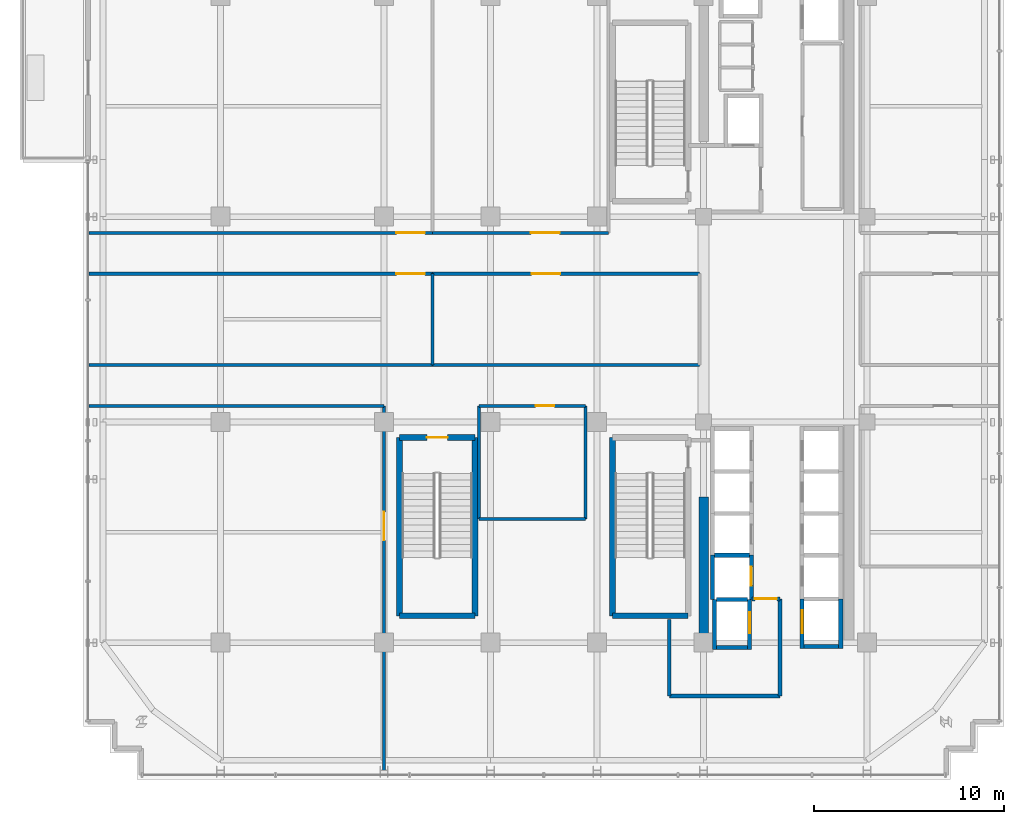
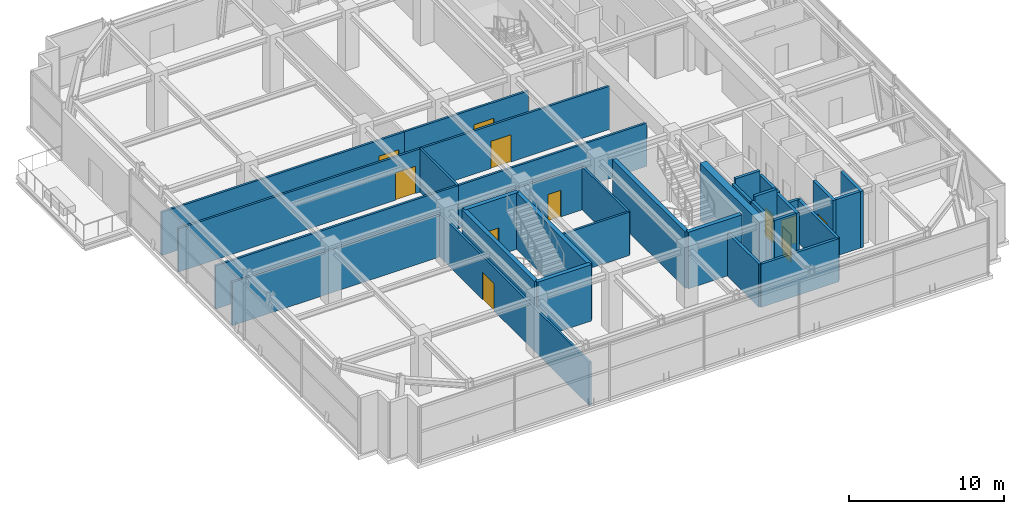
# One storey, part 21 of 28: 34 walls, 11 doors, 11 openings.
"""IFC4 building model written with IfcOpenShell, lengths in metres."""

from ifc_helpers import new_model, si_unit, direction, frame, frame_2d, origin, place, context, subcontext, project, spatial, rectangle, extrude, source, transform, mapped, material, layer, layer_set, type_object, element, fill, save


model = new_model("IFC4")

# Units and contexts
model_context = context("Model", 3, precision=1e-05, world=origin(), true_north=direction((0.0, 1.0)))
body_context = subcontext(model_context, "Body", "Model", "MODEL_VIEW")
ifc_project = project(units=[si_unit("LENGTHUNIT", "METRE"), si_unit("AREAUNIT", "SQUARE_METRE"), si_unit("VOLUMEUNIT", "CUBIC_METRE"), si_unit("PLANEANGLEUNIT", "RADIAN"), si_unit("MASSUNIT", "GRAM", prefix="KILO")], contexts=[model_context])

# Site, building, storey
site_placement = place(None, origin())
site = spatial("IfcSite", under=ifc_project, at=site_placement, CompositionType="ELEMENT")
building_placement = place(site_placement, origin())
building = spatial("IfcBuilding", under=site, at=building_placement, Name="Nahalor Promenade Grand Hotel", CompositionType="ELEMENT")
storey_placement = place(building_placement, frame((0.0, 0.0, 256.699951171875)))
storey = spatial("IfcBuildingStorey", under=building, at=storey_placement, Name="L66", CompositionType="ELEMENT", Elevation=256.699951171875)

# Walls
ifc_material_1 = material(Name="Concrete B-60 (C50/60)", Category="concrete")
ifc_layer_1 = layer(ifc_material_1, 0.5)
ifc_layer_set_1 = layer_set([ifc_layer_1], Name="Concrete B-60 (C50/60)")
wall_type_1 = type_object("IfcWallType", Name="Wall-CoreShear-500", PredefinedType="SHEAR", material=ifc_layer_set_1)
shared_shape_1 = source(origin(), body_context, "Body", "SweptSolid", [
    extrude(rectangle(XDim=7.64990234375, YDim=0.5, at=frame_2d((3.824951171875, 0.0))), origin(), (0.0, 0.0, 1.0), 4.43994140625),
])
wall_1_placement = place(storey_placement, frame((8.39990234375, -17.0, 0.0), z_axis=(0.0, 0.0, 1.0), x_axis=(0.0, 1.0, 0.0)))
element("IfcWall", 1, at=wall_1_placement, inside=storey, type_object=wall_type_1, Name="CWALL-L66-SW", PredefinedType="SHEAR", context=body_context, shape_type="MappedRepresentation", body=[
    mapped(shared_shape_1, transform((0.0, 0.0, 0.0), scale=1.0)),
])
ifc_material_2 = material(Name="Concrete B-50 (C40/50)", Category="concrete")
ifc_layer_2 = layer(ifc_material_2, 0.300048828125)
ifc_layer_set_2 = layer_set([ifc_layer_2], Name="Concrete B-50 (C40/50)")
wall_type_2 = type_object("IfcWallType", Name="Wall-ShaftShear-300", PredefinedType="SHEAR", material=ifc_layer_set_2)
shared_shape_2 = source(origin(), body_context, "Body", "SweptSolid", [
    extrude(rectangle(XDim=3.97998046875, YDim=0.300048828125, at=frame_2d((1.989990234375, 0.0))), origin(), (0.0, 0.0, 1.0), 4.43994140625),
])
for number, where, z_axis, x_axis, name in (
    (2, (3.610107421875, -15.590087890625, 0.0), (0.0, 0.0, 1.0), (1.0, 0.0, 0.0), "L66 Exit Stair ST2 Shaft Wall S"),
    (3, (-7.590087890625, -15.590087890625, 0.0), (0.0, 0.0, 1.0), (1.0, 0.0, 0.0), "L66 Exit Stair ST3 Shaft Wall S"),
):
    element("IfcWall", number, at=place(storey_placement, frame(where, z_axis=z_axis, x_axis=x_axis)), inside=storey, type_object=wall_type_2, Name=name, PredefinedType="SHEAR", context=body_context, shape_type="MappedRepresentation", body=[
        mapped(shared_shape_2, transform((0.0, 0.0, 0.0), scale=1.0)),
    ])

# Wall, opening, door
wall_2_placement = place(storey_placement, frame((-7.590087890625, -6.2099609375, 0.0), z_axis=(0.0, 0.0, 1.0), x_axis=(1.0, 0.0, 0.0)))
wall_2 = element("IfcWall", 4, at=wall_2_placement, inside=storey, type_object=wall_type_2, Name="L66 Exit Stair ST3 Shaft Wall N", PredefinedType="SHEAR", context=body_context, shape_type="MappedRepresentation", body=[
    mapped(shared_shape_2, transform((0.0, 0.0, 0.0), scale=1.0)),
])
opening_1_placement = place(wall_2_placement, frame((1.43994140625, 0.0, 0.0)))
opening_1 = element("IfcOpeningElement", 5, at=opening_1_placement, cuts=wall_2, Name="Opening D-ST1", PredefinedType="OPENING", context=body_context, shape_type="SweptSolid", body=[
    extrude(rectangle(XDim=1.10009765625, YDim=2.14990234375, at=frame_2d((0.550048828125, 1.074951171875))), frame((0.0, 0.159912109375, 0.0), z_axis=(0.0, -1.0, 0.0), x_axis=(1.0, 0.0, 0.0)), (0.0, 0.0, 1.0), 0.320068359375),
])
ifc_material_3 = material(Name="Steel S355JR", Category="steel")
door_type_1 = type_object("IfcDoorType", Name="Door-StairFire-1100", OperationType="NOTDEFINED", PredefinedType="DOOR", material=ifc_material_3)
shared_shape_3 = source(origin(), body_context, "Body", "SweptSolid", [
    extrude(rectangle(XDim=1.10009765625, YDim=2.14990234375, at=frame_2d((0.550048828125, 1.074951171875))), frame((0.0, 0.02490234375, 0.0), z_axis=(0.0, -1.0, 0.0), x_axis=(1.0, 0.0, 0.0)), (0.0, 0.0, 1.0), 0.050048828125),
])
door_1_placement = place(opening_1_placement, frame((1.10009765625, 0.0, 0.0), z_axis=(0.0, 0.0, 1.0), x_axis=(-1.0, 0.0, 0.0)))
door_1 = element("IfcDoor", 6, at=door_1_placement, inside=storey, type_object=door_type_1, Name="DR-STAIR-ST3-L66", OperationType="SINGLE_SWING_LEFT", OverallHeight=2.14990234375, OverallWidth=1.10009765625, PredefinedType="DOOR", context=body_context, shape_type="MappedRepresentation", body=[
    mapped(shared_shape_3, transform((0.0, 0.0, 0.0), scale=1.0)),
])
fill(opening_1, door_1)

# Walls
shared_shape_4 = source(origin(), body_context, "Body", "SweptSolid", [
    extrude(rectangle(XDim=9.380126953125, YDim=0.300048828125, at=frame_2d((4.68994140625, 0.0))), origin(), (0.0, 0.0, 1.0), 4.43994140625),
])
for number, where, z_axis, x_axis, name in (
    (7, (3.610107421875, -15.590087890625, 0.0), (0.0, 0.0, 1.0), (0.0, 1.0, 0.0), "L66 Exit Stair ST2 Shaft Wall W"),
    (8, (-7.590087890625, -15.590087890625, 0.0), (0.0, 0.0, 1.0), (0.0, 1.0, 0.0), "L66 Exit Stair ST3 Shaft Wall W"),
    (9, (-3.610107421875, -15.590087890625, 0.0), (0.0, 0.0, 1.0), (0.0, 1.0, 0.0), "L66 Exit Stair ST3 Shaft Wall E"),
):
    element("IfcWall", number, at=place(storey_placement, frame(where, z_axis=z_axis, x_axis=x_axis)), inside=storey, type_object=wall_type_2, Name=name, PredefinedType="SHEAR", context=body_context, shape_type="MappedRepresentation", body=[
        mapped(shared_shape_4, transform((0.0, 0.0, 0.0), scale=1.0)),
    ])
ifc_layer_3 = layer(ifc_material_2, 0.219970703125)
ifc_layer_set_3 = layer_set([ifc_layer_3], Name="Concrete B-50 (C40/50)")
wall_type_3 = type_object("IfcWallType", Name="Wall-LiftShaft-220", PredefinedType="SHEAR", material=ifc_layer_set_3)
shared_shape_5 = source(origin(), body_context, "Body", "SweptSolid", [
    extrude(rectangle(XDim=1.820068359375, YDim=0.219970703125, at=frame_2d((0.91015625, 0.0))), origin(), (0.0, 0.0, 1.0), 4.800048828125),
])
wall_3_placement = place(storey_placement, frame((8.989990234375, -12.39990234375, 0.0), z_axis=(0.0, 0.0, 1.0), x_axis=(1.0, 0.0, 0.0)))
element("IfcWall", 10, at=wall_3_placement, inside=storey, type_object=wall_type_3, Name="L66 Lift PL12 Hoistway Wall N", PredefinedType="SHEAR", context=body_context, shape_type="MappedRepresentation", body=[
    mapped(shared_shape_5, transform((0.0, 0.0, 0.0), scale=1.0)),
])
shared_shape_6 = source(origin(), body_context, "Body", "SweptSolid", [
    extrude(rectangle(XDim=1.820068359375, YDim=0.219970703125, at=frame_2d((0.91015625, 0.0))), origin(), (0.0, 0.0, 1.0), 4.43994140625),
])
wall_4_placement = place(storey_placement, frame((13.68994140625, -17.199951171875, 0.0), z_axis=(0.0, 0.0, 1.0), x_axis=(1.0, 0.0, 0.0)))
element("IfcWall", 11, at=wall_4_placement, inside=storey, type_object=wall_type_3, Name="L66 Lift SV2 Hoistway Wall S", PredefinedType="SHEAR", context=body_context, shape_type="MappedRepresentation", body=[
    mapped(shared_shape_6, transform((0.0, 0.0, 0.0), scale=1.0)),
])
shared_shape_7 = source(origin(), body_context, "Body", "SweptSolid", [
    extrude(rectangle(XDim=2.3251953125, YDim=0.219970703125, at=frame_2d((1.16259765625, 0.0))), origin(), (0.0, 0.0, 1.0), 4.43994140625),
])
wall_5_placement = place(storey_placement, frame((8.8798828125, -14.72509765625, 0.0), z_axis=(0.0, 0.0, 1.0), x_axis=(0.0, 1.0, 0.0)))
element("IfcWall", 12, at=wall_5_placement, inside=storey, type_object=wall_type_3, Name="L66 Lift PL12 Hoistway Wall W", PredefinedType="SHEAR", context=body_context, shape_type="MappedRepresentation", body=[
    mapped(shared_shape_7, transform((0.0, 0.0, 0.0), scale=1.0)),
])

# Wall, opening, door
wall_6_placement = place(storey_placement, frame((10.919921875, -14.72509765625, 0.0), z_axis=(0.0, 0.0, 1.0), x_axis=(0.0, 1.0, 0.0)))
wall_6 = element("IfcWall", 13, at=wall_6_placement, inside=storey, type_object=wall_type_3, Name="L66 Lift PL12 Hoistway Wall E", PredefinedType="SHEAR", context=body_context, shape_type="MappedRepresentation", body=[
    mapped(shared_shape_7, transform((0.0, 0.0, 0.0), scale=1.0)),
])
opening_2_placement = place(wall_6_placement, frame((0.72509765625, 0.0, 0.0)))
opening_2 = element("IfcOpeningElement", 14, at=opening_2_placement, cuts=wall_6, Name="Opening LD-01", PredefinedType="OPENING", context=body_context, shape_type="SweptSolid", body=[
    extrude(rectangle(XDim=1.0, YDim=2.199951171875, at=frame_2d((0.5, 1.10009765625))), frame((0.0, 0.119873046875, 0.0), z_axis=(0.0, -1.0, 0.0), x_axis=(1.0, 0.0, 0.0)), (0.0, 0.0, 1.0), 0.239990234375),
])
door_type_2 = type_object("IfcDoorType", Name="Door-LiftLanding-1000", OperationType="DOUBLE_DOOR_SLIDING", PredefinedType="DOOR", material=ifc_material_3)
shared_shape_8 = source(origin(), body_context, "Body", "SweptSolid", [
    extrude(rectangle(XDim=1.0, YDim=2.199951171875, at=frame_2d((0.5, 1.10009765625))), frame((0.0, 0.02490234375, 0.0), z_axis=(0.0, -1.0, 0.0), x_axis=(1.0, 0.0, 0.0)), (0.0, 0.0, 1.0), 0.050048828125),
])
door_2_placement = place(opening_2_placement, frame((1.0, 0.0, 0.0), z_axis=(0.0, 0.0, 1.0), x_axis=(-1.0, 0.0, 0.0)))
door_2 = element("IfcDoor", 15, at=door_2_placement, inside=storey, type_object=door_type_2, Name="DR-LIFT-PL12-L66", OperationType="DOUBLE_DOOR_SLIDING", OverallHeight=2.199951171875, OverallWidth=1.0, PredefinedType="DOOR", context=body_context, shape_type="MappedRepresentation", body=[
    mapped(shared_shape_8, transform((0.0, 0.0, 0.0), scale=1.0)),
])
fill(opening_2, door_2)

# Walls
shared_shape_9 = source(origin(), body_context, "Body", "SweptSolid", [
    extrude(rectangle(XDim=1.619873046875, YDim=0.219970703125, at=frame_2d((0.81005859375, 0.0))), origin(), (0.0, 0.0, 1.0), 4.800048828125),
])
wall_7_placement = place(storey_placement, frame((9.090087890625, -14.72509765625, 0.0), z_axis=(0.0, 0.0, 1.0), x_axis=(1.0, 0.0, 0.0)))
element("IfcWall", 16, at=wall_7_placement, inside=storey, type_object=wall_type_3, Name="L66 Lift FL2 Hoistway Wall N", PredefinedType="SHEAR", context=body_context, shape_type="MappedRepresentation", body=[
    mapped(shared_shape_9, transform((0.0, 0.0, 0.0), scale=1.0)),
])
shared_shape_10 = source(origin(), body_context, "Body", "SweptSolid", [
    extrude(rectangle(XDim=2.635009765625, YDim=0.219970703125, at=frame_2d((1.3173828125, 0.0))), origin(), (0.0, 0.0, 1.0), 4.43994140625),
])
wall_8_placement = place(storey_placement, frame((8.97998046875, -17.360107421875, 0.0), z_axis=(0.0, 0.0, 1.0), x_axis=(0.0, 1.0, 0.0)))
element("IfcWall", 17, at=wall_8_placement, inside=storey, type_object=wall_type_3, Name="L66 Lift FL2 Hoistway Wall W", PredefinedType="SHEAR", context=body_context, shape_type="MappedRepresentation", body=[
    mapped(shared_shape_10, transform((0.0, 0.0, 0.0), scale=1.0)),
])

# Wall, opening, door
wall_9_placement = place(storey_placement, frame((10.820068359375, -17.360107421875, 0.0), z_axis=(0.0, 0.0, 1.0), x_axis=(0.0, 1.0, 0.0)))
wall_9 = element("IfcWall", 18, at=wall_9_placement, inside=storey, type_object=wall_type_3, Name="L66 Lift FL2 Hoistway Wall E", PredefinedType="SHEAR", context=body_context, shape_type="MappedRepresentation", body=[
    mapped(shared_shape_10, transform((0.0, 0.0, 0.0), scale=1.0)),
])
opening_3_placement = place(wall_9_placement, frame((0.860107421875, 0.0, 0.0)))
opening_3 = element("IfcOpeningElement", 19, at=opening_3_placement, cuts=wall_9, Name="Opening LD-02", PredefinedType="OPENING", context=body_context, shape_type="SweptSolid", body=[
    extrude(rectangle(XDim=1.10009765625, YDim=2.199951171875, at=frame_2d((0.550048828125, 1.10009765625))), frame((0.0, 0.119873046875, 0.0), z_axis=(0.0, -1.0, 0.0), x_axis=(1.0, 0.0, 0.0)), (0.0, 0.0, 1.0), 0.239990234375),
])
door_type_3 = type_object("IfcDoorType", Name="Door-LiftFF-1100", OperationType="DOUBLE_DOOR_SLIDING", PredefinedType="DOOR", material=ifc_material_3)
shared_shape_11 = source(origin(), body_context, "Body", "SweptSolid", [
    extrude(rectangle(XDim=1.10009765625, YDim=2.199951171875, at=frame_2d((0.550048828125, 1.10009765625))), frame((0.0, 0.02490234375, 0.0), z_axis=(0.0, -1.0, 0.0), x_axis=(1.0, 0.0, 0.0)), (0.0, 0.0, 1.0), 0.050048828125),
])
door_3_placement = place(opening_3_placement, frame((1.10009765625, 0.0, 0.0), z_axis=(0.0, 0.0, 1.0), x_axis=(-1.0, 0.0, 0.0)))
door_3 = element("IfcDoor", 20, at=door_3_placement, inside=storey, type_object=door_type_3, Name="DR-LIFT-FL2-L66", OperationType="DOUBLE_DOOR_SLIDING", OverallHeight=2.199951171875, OverallWidth=1.10009765625, PredefinedType="DOOR", context=body_context, shape_type="MappedRepresentation", body=[
    mapped(shared_shape_11, transform((0.0, 0.0, 0.0), scale=1.0)),
])
fill(opening_3, door_3)

# Wall
shared_shape_12 = source(origin(), body_context, "Body", "SweptSolid", [
    extrude(rectangle(XDim=1.619873046875, YDim=0.219970703125, at=frame_2d((0.81005859375, 0.0))), origin(), (0.0, 0.0, 1.0), 4.43994140625),
])
wall_10_placement = place(storey_placement, frame((9.090087890625, -17.25, 0.0), z_axis=(0.0, 0.0, 1.0), x_axis=(1.0, 0.0, 0.0)))
element("IfcWall", 21, at=wall_10_placement, inside=storey, type_object=wall_type_3, Name="L66 Lift FL2 Hoistway Wall S", PredefinedType="SHEAR", context=body_context, shape_type="MappedRepresentation", body=[
    mapped(shared_shape_12, transform((0.0, 0.0, 0.0), scale=1.0)),
])

# Wall, opening, door
shared_shape_13 = source(origin(), body_context, "Body", "SweptSolid", [
    extrude(rectangle(XDim=2.610107421875, YDim=0.219970703125, at=frame_2d((1.30517578125, 0.0))), origin(), (0.0, 0.0, 1.0), 4.43994140625),
])
wall_11_placement = place(storey_placement, frame((13.580078125, -17.31005859375, 0.0), z_axis=(0.0, 0.0, 1.0), x_axis=(0.0, 1.0, 0.0)))
wall_11 = element("IfcWall", 22, at=wall_11_placement, inside=storey, type_object=wall_type_3, Name="L66 Lift SV2 Hoistway Wall W", PredefinedType="SHEAR", context=body_context, shape_type="MappedRepresentation", body=[
    mapped(shared_shape_13, transform((0.0, 0.0, 0.0), scale=1.0)),
])
opening_4_placement = place(wall_11_placement, frame((0.81005859375, 0.0, 0.0)))
opening_4 = element("IfcOpeningElement", 23, at=opening_4_placement, cuts=wall_11, Name="Opening LD-03", PredefinedType="OPENING", context=body_context, shape_type="SweptSolid", body=[
    extrude(rectangle(XDim=1.199951171875, YDim=2.199951171875, at=frame_2d((0.60009765625, 1.10009765625))), frame((0.0, 0.119873046875, 0.0), z_axis=(0.0, -1.0, 0.0), x_axis=(1.0, 0.0, 0.0)), (0.0, 0.0, 1.0), 0.239990234375),
])
door_type_4 = type_object("IfcDoorType", Name="Door-LiftService-1200", OperationType="DOUBLE_DOOR_SLIDING", PredefinedType="DOOR", material=ifc_material_3)
shared_shape_14 = source(origin(), body_context, "Body", "SweptSolid", [
    extrude(rectangle(XDim=1.199951171875, YDim=2.199951171875, at=frame_2d((0.60009765625, 1.10009765625))), frame((0.0, 0.02490234375, 0.0), z_axis=(0.0, -1.0, 0.0), x_axis=(1.0, 0.0, 0.0)), (0.0, 0.0, 1.0), 0.050048828125),
])
door_4_placement = place(opening_4_placement, origin())
door_4 = element("IfcDoor", 24, at=door_4_placement, inside=storey, type_object=door_type_4, Name="DR-LIFT-SV2-L66", OperationType="DOUBLE_DOOR_SLIDING", OverallHeight=2.199951171875, OverallWidth=1.199951171875, PredefinedType="DOOR", context=body_context, shape_type="MappedRepresentation", body=[
    mapped(shared_shape_14, transform((0.0, 0.0, 0.0), scale=1.0)),
])
fill(opening_4, door_4)

# Walls
wall_12_placement = place(storey_placement, frame((15.6201171875, -17.31005859375, 0.0), z_axis=(0.0, 0.0, 1.0), x_axis=(0.0, 1.0, 0.0)))
element("IfcWall", 25, at=wall_12_placement, inside=storey, type_object=wall_type_3, Name="L66 Lift SV2 Hoistway Wall E", PredefinedType="SHEAR", context=body_context, shape_type="MappedRepresentation", body=[
    mapped(shared_shape_13, transform((0.0, 0.0, 0.0), scale=1.0)),
])
ifc_material_4 = material(Name="Concrete B-40 (C32/40)", Category="concrete")
ifc_layer_4 = layer(ifc_material_4, 0.199951171875)
ifc_layer_set_4 = layer_set([ifc_layer_4], Name="Concrete B-40 (C32/40)")
wall_type_4 = type_object("IfcWallType", Name="Wall-PartFire-200", PredefinedType="PARTITIONING", material=ifc_layer_set_4)
shared_shape_15 = source(origin(), body_context, "Body", "SweptSolid", [
    extrude(rectangle(XDim=5.81982421875, YDim=0.199951171875, at=frame_2d((2.909912109375, 0.0))), origin(), (0.0, 0.0, 1.0), 3.400146484375),
])
wall_13_placement = place(storey_placement, frame((6.60009765625, -19.800048828125, 0.0), z_axis=(0.0, 0.0, 1.0), x_axis=(1.0, 0.0, 0.0)))
element("IfcWall", 26, at=wall_13_placement, inside=storey, type_object=wall_type_4, Name="W-L66-FF2-S1", PredefinedType="PARTITIONING", context=body_context, shape_type="MappedRepresentation", body=[
    mapped(shared_shape_15, transform((0.0, 0.0, 0.0), scale=1.0)),
])
shared_shape_16 = source(origin(), body_context, "Body", "SweptSolid", [
    extrude(rectangle(XDim=4.030029296875, YDim=0.199951171875, at=frame_2d((2.01513671875, 0.0))), origin(), (0.0, 0.0, 1.0), 3.400146484375),
])
wall_14_placement = place(storey_placement, frame((6.60009765625, -19.800048828125, 0.0), z_axis=(0.0, 0.0, 1.0), x_axis=(0.0, 1.0, 0.0)))
element("IfcWall", 27, at=wall_14_placement, inside=storey, type_object=wall_type_4, Name="W-L66-FF2-W1", PredefinedType="PARTITIONING", context=body_context, shape_type="MappedRepresentation", body=[
    mapped(shared_shape_16, transform((0.0, 0.0, 0.0), scale=1.0)),
])
shared_shape_17 = source(origin(), body_context, "Body", "SweptSolid", [
    extrude(rectangle(XDim=5.10009765625, YDim=0.199951171875, at=frame_2d((2.550048828125, 0.0))), origin(), (0.0, 0.0, 1.0), 3.400146484375),
])
wall_15_placement = place(storey_placement, frame((12.419921875, -19.800048828125, 0.0), z_axis=(0.0, 0.0, 1.0), x_axis=(0.0, 1.0, 0.0)))
element("IfcWall", 28, at=wall_15_placement, inside=storey, type_object=wall_type_4, Name="W-L66-FF2-E", PredefinedType="PARTITIONING", context=body_context, shape_type="MappedRepresentation", body=[
    mapped(shared_shape_17, transform((0.0, 0.0, 0.0), scale=1.0)),
])

# Wall, opening, door
shared_shape_18 = source(origin(), body_context, "Body", "SweptSolid", [
    extrude(rectangle(XDim=1.4599609375, YDim=0.199951171875, at=frame_2d((0.72998046875, 0.0))), origin(), (0.0, 0.0, 1.0), 3.400146484375),
])
wall_16_placement = place(storey_placement, frame((10.9599609375, -14.699951171875, 0.0), z_axis=(0.0, 0.0, 1.0), x_axis=(1.0, 0.0, 0.0)))
wall_16 = element("IfcWall", 29, at=wall_16_placement, inside=storey, type_object=wall_type_4, Name="W-L66-FF2-N1", PredefinedType="PARTITIONING", context=body_context, shape_type="MappedRepresentation", body=[
    mapped(shared_shape_18, transform((0.0, 0.0, 0.0), scale=1.0)),
])
opening_5_placement = place(wall_16_placement, frame((0.14501953125, 0.0, 0.0)))
opening_5 = element("IfcOpeningElement", 30, at=opening_5_placement, cuts=wall_16, Name="Opening D-FF1", PredefinedType="OPENING", context=body_context, shape_type="SweptSolid", body=[
    extrude(rectangle(XDim=1.14990234375, YDim=2.14990234375, at=frame_2d((0.574951171875, 1.074951171875))), frame((0.0, 0.10986328125, 0.0), z_axis=(0.0, -1.0, 0.0), x_axis=(1.0, 0.0, 0.0)), (0.0, 0.0, 1.0), 0.219970703125),
])
door_type_5 = type_object("IfcDoorType", Name="Door-FFLobby-1150", OperationType="NOTDEFINED", PredefinedType="DOOR", material=ifc_material_3)
shared_shape_19 = source(origin(), body_context, "Body", "SweptSolid", [
    extrude(rectangle(XDim=1.14990234375, YDim=2.14990234375, at=frame_2d((0.574951171875, 1.074951171875))), frame((0.0, 0.02490234375, 0.0), z_axis=(0.0, -1.0, 0.0), x_axis=(1.0, 0.0, 0.0)), (0.0, 0.0, 1.0), 0.050048828125),
])
door_5_placement = place(opening_5_placement, origin())
door_5 = element("IfcDoor", 31, at=door_5_placement, inside=storey, type_object=door_type_5, Name="DR-L66-FFL2", OperationType="SINGLE_SWING_RIGHT", OverallHeight=2.14990234375, OverallWidth=1.14990234375, PredefinedType="DOOR", context=body_context, shape_type="MappedRepresentation", body=[
    mapped(shared_shape_19, transform((0.0, 0.0, 0.0), scale=1.0)),
])
fill(opening_5, door_5)

# Walls
ifc_material_5 = material(Name="Acoustic Mineral Gypsum", Category="gypsum")
ifc_layer_5 = layer(ifc_material_5, 0.159912109375)
ifc_layer_set_5 = layer_set([ifc_layer_5], Name="Acoustic Mineral Gypsum")
wall_type_5 = type_object("IfcWallType", Name="Wall-PartCorridor-160", PredefinedType="PARTITIONING", material=ifc_layer_set_5)
shared_shape_20 = source(origin(), body_context, "Body", "SweptSolid", [
    extrude(rectangle(XDim=4.7998046875, YDim=0.159912109375, at=frame_2d((2.39990234375, 0.0))), origin(), (0.0, 0.0, 1.0), 3.400146484375),
])
wall_17_placement = place(storey_placement, frame((-5.85009765625, -2.39990234375, 0.0), z_axis=(0.0, 0.0, 1.0), x_axis=(0.0, 1.0, 0.0)))
element("IfcWall", 32, at=wall_17_placement, inside=storey, type_object=wall_type_5, Name="W-L66-SK01-E", PredefinedType="PARTITIONING", context=body_context, shape_type="MappedRepresentation", body=[
    mapped(shared_shape_20, transform((0.0, 0.0, 0.0), scale=1.0)),
])
shared_shape_21 = source(origin(), body_context, "Body", "SweptSolid", [
    extrude(rectangle(XDim=5.599853515625, YDim=0.159912109375, at=frame_2d((2.7998046875, 0.0))), origin(), (0.0, 0.0, 1.0), 3.400146484375),
])
wall_18_placement = place(storey_placement, frame((-3.39990234375, -10.5, 0.0), z_axis=(0.0, 0.0, 1.0), x_axis=(1.0, 0.0, 0.0)))
element("IfcWall", 33, at=wall_18_placement, inside=storey, type_object=wall_type_5, Name="W-L66-SK09-S", PredefinedType="PARTITIONING", context=body_context, shape_type="MappedRepresentation", body=[
    mapped(shared_shape_21, transform((0.0, 0.0, 0.0), scale=1.0)),
])

# Wall, opening, door
wall_19_placement = place(storey_placement, frame((-3.39990234375, -4.550048828125, 0.0), z_axis=(0.0, 0.0, 1.0), x_axis=(1.0, 0.0, 0.0)))
wall_19 = element("IfcWall", 34, at=wall_19_placement, inside=storey, type_object=wall_type_5, Name="W-L66-SK09-N", PredefinedType="PARTITIONING", context=body_context, shape_type="MappedRepresentation", body=[
    mapped(shared_shape_21, transform((0.0, 0.0, 0.0), scale=1.0)),
])
opening_6_placement = place(wall_19_placement, frame((2.97802734375, 0.0, 0.0)))
opening_6 = element("IfcOpeningElement", 35, at=opening_6_placement, cuts=wall_19, Name="Opening D-05", PredefinedType="OPENING", context=body_context, shape_type="SweptSolid", body=[
    extrude(rectangle(XDim=0.97998046875, YDim=2.10009765625, at=frame_2d((0.489990234375, 1.050048828125))), frame((0.0, 0.08984375, 0.0), z_axis=(0.0, -1.0, 0.0), x_axis=(1.0, 0.0, 0.0)), (0.0, 0.0, 1.0), 0.179931640625),
])
ifc_material_6 = material(Name="Fire-Rated Timber Composite", Category="wood")
door_type_6 = type_object("IfcDoorType", Name="Door-AccessibleWC-980", OperationType="NOTDEFINED", PredefinedType="DOOR", material=ifc_material_6)
shared_shape_22 = source(origin(), body_context, "Body", "SweptSolid", [
    extrude(rectangle(XDim=0.97998046875, YDim=2.10009765625, at=frame_2d((0.489990234375, 1.050048828125))), frame((0.0, 0.02490234375, 0.0), z_axis=(0.0, -1.0, 0.0), x_axis=(1.0, 0.0, 0.0)), (0.0, 0.0, 1.0), 0.050048828125),
])
door_6_placement = place(opening_6_placement, frame((0.97998046875, 0.0, 0.0), z_axis=(0.0, 0.0, 1.0), x_axis=(-1.0, 0.0, 0.0)))
door_6 = element("IfcDoor", 36, at=door_6_placement, inside=storey, type_object=door_type_6, Name="DR-L66-SK09", OperationType="SINGLE_SWING_LEFT", OverallHeight=2.10009765625, OverallWidth=0.97998046875, PredefinedType="DOOR", context=body_context, shape_type="MappedRepresentation", body=[
    mapped(shared_shape_22, transform((0.0, 0.0, 0.0), scale=1.0)),
])
fill(opening_6, door_6)

# Walls
shared_shape_23 = source(origin(), body_context, "Body", "SweptSolid", [
    extrude(rectangle(XDim=5.949951171875, YDim=0.159912109375, at=frame_2d((2.97509765625, 0.0))), origin(), (0.0, 0.0, 1.0), 3.400146484375),
])
for number, where, z_axis, x_axis, name in (
    (37, (-3.39990234375, -10.5, 0.0), (0.0, 0.0, 1.0), (0.0, 1.0, 0.0), "W-L66-SK09-W"),
    (38, (2.199951171875, -10.5, 0.0), (0.0, 0.0, 1.0), (0.0, 1.0, 0.0), "W-L66-SK09-E"),
):
    element("IfcWall", number, at=place(storey_placement, frame(where, z_axis=z_axis, x_axis=x_axis)), inside=storey, type_object=wall_type_5, Name=name, PredefinedType="PARTITIONING", context=body_context, shape_type="MappedRepresentation", body=[
        mapped(shared_shape_23, transform((0.0, 0.0, 0.0), scale=1.0)),
    ])
shared_shape_24 = source(origin(), body_context, "Body", "SweptSolid", [
    extrude(rectangle(XDim=18.0498046875, YDim=0.159912109375, at=frame_2d((9.02490234375, 0.0))), origin(), (0.0, 0.0, 1.0), 3.400146484375),
])
wall_20_placement = place(storey_placement, frame((-23.89990234375, -2.39990234375, 0.0), z_axis=(0.0, 0.0, 1.0), x_axis=(1.0, 0.0, 0.0)))
element("IfcWall", 39, at=wall_20_placement, inside=storey, type_object=wall_type_5, Name="W-L66-SK01-S", PredefinedType="PARTITIONING", context=body_context, shape_type="MappedRepresentation", body=[
    mapped(shared_shape_24, transform((0.0, 0.0, 0.0), scale=1.0)),
])

# Wall, opening, door
wall_21_placement = place(storey_placement, frame((-23.89990234375, 2.39990234375, 0.0), z_axis=(0.0, 0.0, 1.0), x_axis=(1.0, 0.0, 0.0)))
wall_21 = element("IfcWall", 40, at=wall_21_placement, inside=storey, type_object=wall_type_5, Name="W-L66-SK01-N", PredefinedType="PARTITIONING", context=body_context, shape_type="MappedRepresentation", body=[
    mapped(shared_shape_24, transform((0.0, 0.0, 0.0), scale=1.0)),
])
opening_7_placement = place(wall_21_placement, frame((16.14990234375, 0.0, 0.0)))
opening_7 = element("IfcOpeningElement", 41, at=opening_7_placement, cuts=wall_21, Name="Opening D-02", PredefinedType="OPENING", context=body_context, shape_type="SweptSolid", body=[
    extrude(rectangle(XDim=1.5, YDim=2.14990234375, at=frame_2d((0.75, 1.074951171875))), frame((0.0, 0.08984375, 0.0), z_axis=(0.0, -1.0, 0.0), x_axis=(1.0, 0.0, 0.0)), (0.0, 0.0, 1.0), 0.179931640625),
])
door_type_7 = type_object("IfcDoorType", Name="Door-SuiteDouble-1500", OperationType="DOUBLE_DOOR_SINGLE_SWING", PredefinedType="DOOR", material=ifc_material_6)
shared_shape_25 = source(origin(), body_context, "Body", "SweptSolid", [
    extrude(rectangle(XDim=1.5, YDim=2.14990234375, at=frame_2d((0.75, 1.074951171875))), frame((0.0, 0.02490234375, 0.0), z_axis=(0.0, -1.0, 0.0), x_axis=(1.0, 0.0, 0.0)), (0.0, 0.0, 1.0), 0.050048828125),
])
door_7_placement = place(opening_7_placement, frame((1.5, 0.0, 0.0), z_axis=(0.0, 0.0, 1.0), x_axis=(-1.0, 0.0, 0.0)))
door_7 = element("IfcDoor", 42, at=door_7_placement, inside=storey, type_object=door_type_7, Name="DR-L66-SK01", OperationType="DOUBLE_DOOR_SINGLE_SWING", OverallHeight=2.14990234375, OverallWidth=1.5, PredefinedType="DOOR", context=body_context, shape_type="MappedRepresentation", body=[
    mapped(shared_shape_25, transform((0.0, 0.0, 0.0), scale=1.0)),
])
fill(opening_7, door_7)

wall_22_placement = place(storey_placement, frame((-23.89990234375, 4.550048828125, 0.0), z_axis=(0.0, 0.0, 1.0), x_axis=(1.0, 0.0, 0.0)))
wall_22 = element("IfcWall", 43, at=wall_22_placement, inside=storey, type_object=wall_type_5, Name="W-L66-SK04-S", PredefinedType="PARTITIONING", context=body_context, shape_type="MappedRepresentation", body=[
    mapped(shared_shape_24, transform((0.0, 0.0, 0.0), scale=1.0)),
])
opening_8_placement = place(wall_22_placement, frame((16.14990234375, 0.0, 0.0)))
opening_8 = element("IfcOpeningElement", 44, at=opening_8_placement, cuts=wall_22, Name="Opening D-02", PredefinedType="OPENING", context=body_context, shape_type="SweptSolid", body=[
    extrude(rectangle(XDim=1.5, YDim=2.14990234375, at=frame_2d((0.75, 1.074951171875))), frame((0.0, 0.08984375, 0.0), z_axis=(0.0, -1.0, 0.0), x_axis=(1.0, 0.0, 0.0)), (0.0, 0.0, 1.0), 0.179931640625),
])
door_8_placement = place(opening_8_placement, origin())
door_8 = element("IfcDoor", 45, at=door_8_placement, inside=storey, type_object=door_type_7, Name="DR-L66-SK04", OperationType="DOUBLE_DOOR_SINGLE_SWING", OverallHeight=2.14990234375, OverallWidth=1.5, PredefinedType="DOOR", context=body_context, shape_type="MappedRepresentation", body=[
    mapped(shared_shape_25, transform((0.0, 0.0, 0.0), scale=1.0)),
])
fill(opening_8, door_8)

# Wall
shared_shape_26 = source(origin(), body_context, "Body", "SweptSolid", [
    extrude(rectangle(XDim=14.050048828125, YDim=0.159912109375, at=frame_2d((7.02490234375, 0.0))), origin(), (0.0, 0.0, 1.0), 3.400146484375),
])
wall_23_placement = place(storey_placement, frame((-5.85009765625, -2.39990234375, 0.0), z_axis=(0.0, 0.0, 1.0), x_axis=(1.0, 0.0, 0.0)))
element("IfcWall", 46, at=wall_23_placement, inside=storey, type_object=wall_type_5, Name="W-L66-SK02-S", PredefinedType="PARTITIONING", context=body_context, shape_type="MappedRepresentation", body=[
    mapped(shared_shape_26, transform((0.0, 0.0, 0.0), scale=1.0)),
])

# Wall, opening, door
wall_24_placement = place(storey_placement, frame((-5.85009765625, 2.39990234375, 0.0), z_axis=(0.0, 0.0, 1.0), x_axis=(1.0, 0.0, 0.0)))
wall_24 = element("IfcWall", 47, at=wall_24_placement, inside=storey, type_object=wall_type_5, Name="W-L66-SK02-N", PredefinedType="PARTITIONING", context=body_context, shape_type="MappedRepresentation", body=[
    mapped(shared_shape_26, transform((0.0, 0.0, 0.0), scale=1.0)),
])
opening_9_placement = place(wall_24_placement, frame((5.2060546875, 0.0, 0.0)))
opening_9 = element("IfcOpeningElement", 48, at=opening_9_placement, cuts=wall_24, Name="Opening D-02", PredefinedType="OPENING", context=body_context, shape_type="SweptSolid", body=[
    extrude(rectangle(XDim=1.5, YDim=2.14990234375, at=frame_2d((0.75, 1.074951171875))), frame((0.0, 0.08984375, 0.0), z_axis=(0.0, -1.0, 0.0), x_axis=(1.0, 0.0, 0.0)), (0.0, 0.0, 1.0), 0.179931640625),
])
door_9_placement = place(opening_9_placement, frame((1.5, 0.0, 0.0), z_axis=(0.0, 0.0, 1.0), x_axis=(-1.0, 0.0, 0.0)))
door_9 = element("IfcDoor", 49, at=door_9_placement, inside=storey, type_object=door_type_7, Name="DR-L66-SK02", OperationType="DOUBLE_DOOR_SINGLE_SWING", OverallHeight=2.14990234375, OverallWidth=1.5, PredefinedType="DOOR", context=body_context, shape_type="MappedRepresentation", body=[
    mapped(shared_shape_25, transform((0.0, 0.0, 0.0), scale=1.0)),
])
fill(opening_9, door_9)

shared_shape_27 = source(origin(), body_context, "Body", "SweptSolid", [
    extrude(rectangle(XDim=19.349853515625, YDim=0.159912109375, at=frame_2d((9.6748046875, 0.0))), origin(), (0.0, 0.0, 1.0), 3.400146484375),
])
wall_25_placement = place(storey_placement, frame((-8.39990234375, -23.89990234375, 0.0), z_axis=(0.0, 0.0, 1.0), x_axis=(0.0, 1.0, 0.0)))
wall_25 = element("IfcWall", 50, at=wall_25_placement, inside=storey, type_object=wall_type_5, Name="W-L66-SK06-E", PredefinedType="PARTITIONING", context=body_context, shape_type="MappedRepresentation", body=[
    mapped(shared_shape_27, transform((0.0, 0.0, 0.0), scale=1.0)),
])
opening_10_placement = place(wall_25_placement, frame((12.27490234375, 0.0, 0.0)))
opening_10 = element("IfcOpeningElement", 51, at=opening_10_placement, cuts=wall_25, Name="Opening D-02", PredefinedType="OPENING", context=body_context, shape_type="SweptSolid", body=[
    extrude(rectangle(XDim=1.5, YDim=2.14990234375, at=frame_2d((0.75, 1.074951171875))), frame((0.0, 0.08984375, 0.0), z_axis=(0.0, -1.0, 0.0), x_axis=(1.0, 0.0, 0.0)), (0.0, 0.0, 1.0), 0.179931640625),
])
door_10_placement = place(opening_10_placement, origin())
door_10 = element("IfcDoor", 52, at=door_10_placement, inside=storey, type_object=door_type_7, Name="DR-L66-SK06", OperationType="DOUBLE_DOOR_SINGLE_SWING", OverallHeight=2.14990234375, OverallWidth=1.5, PredefinedType="DOOR", context=body_context, shape_type="MappedRepresentation", body=[
    mapped(shared_shape_25, transform((0.0, 0.0, 0.0), scale=1.0)),
])
fill(opening_10, door_10)

shared_shape_28 = source(origin(), body_context, "Body", "SweptSolid", [
    extrude(rectangle(XDim=9.25, YDim=0.159912109375, at=frame_2d((4.625, 0.0))), origin(), (0.0, 0.0, 1.0), 3.400146484375),
])
wall_26_placement = place(storey_placement, frame((-5.85009765625, 4.550048828125, 0.0), z_axis=(0.0, 0.0, 1.0), x_axis=(1.0, 0.0, 0.0)))
wall_26 = element("IfcWall", 53, at=wall_26_placement, inside=storey, type_object=wall_type_5, Name="W-L66-SK05-S", PredefinedType="PARTITIONING", context=body_context, shape_type="MappedRepresentation", body=[
    mapped(shared_shape_28, transform((0.0, 0.0, 0.0), scale=1.0)),
])
opening_11_placement = place(wall_26_placement, frame((5.177978515625, 0.0, 0.0)))
opening_11 = element("IfcOpeningElement", 54, at=opening_11_placement, cuts=wall_26, Name="Opening D-02", PredefinedType="OPENING", context=body_context, shape_type="SweptSolid", body=[
    extrude(rectangle(XDim=1.5, YDim=2.14990234375, at=frame_2d((0.75, 1.074951171875))), frame((0.0, 0.08984375, 0.0), z_axis=(0.0, -1.0, 0.0), x_axis=(1.0, 0.0, 0.0)), (0.0, 0.0, 1.0), 0.179931640625),
])
door_11_placement = place(opening_11_placement, origin())
door_11 = element("IfcDoor", 55, at=door_11_placement, inside=storey, type_object=door_type_7, Name="DR-L66-SK05", OperationType="DOUBLE_DOOR_SINGLE_SWING", OverallHeight=2.14990234375, OverallWidth=1.5, PredefinedType="DOOR", context=body_context, shape_type="MappedRepresentation", body=[
    mapped(shared_shape_25, transform((0.0, 0.0, 0.0), scale=1.0)),
])
fill(opening_11, door_11)

# Wall
shared_shape_29 = source(origin(), body_context, "Body", "SweptSolid", [
    extrude(rectangle(XDim=15.5, YDim=0.159912109375, at=frame_2d((7.75, 0.0))), origin(), (0.0, 0.0, 1.0), 3.400146484375),
])
wall_27_placement = place(storey_placement, frame((-23.89990234375, -4.550048828125, 0.0), z_axis=(0.0, 0.0, 1.0), x_axis=(1.0, 0.0, 0.0)))
element("IfcWall", 56, at=wall_27_placement, inside=storey, type_object=wall_type_5, Name="W-L66-SK06-N", PredefinedType="PARTITIONING", context=body_context, shape_type="MappedRepresentation", body=[
    mapped(shared_shape_29, transform((0.0, 0.0, 0.0), scale=1.0)),
])

save(model, "model.ifc")
